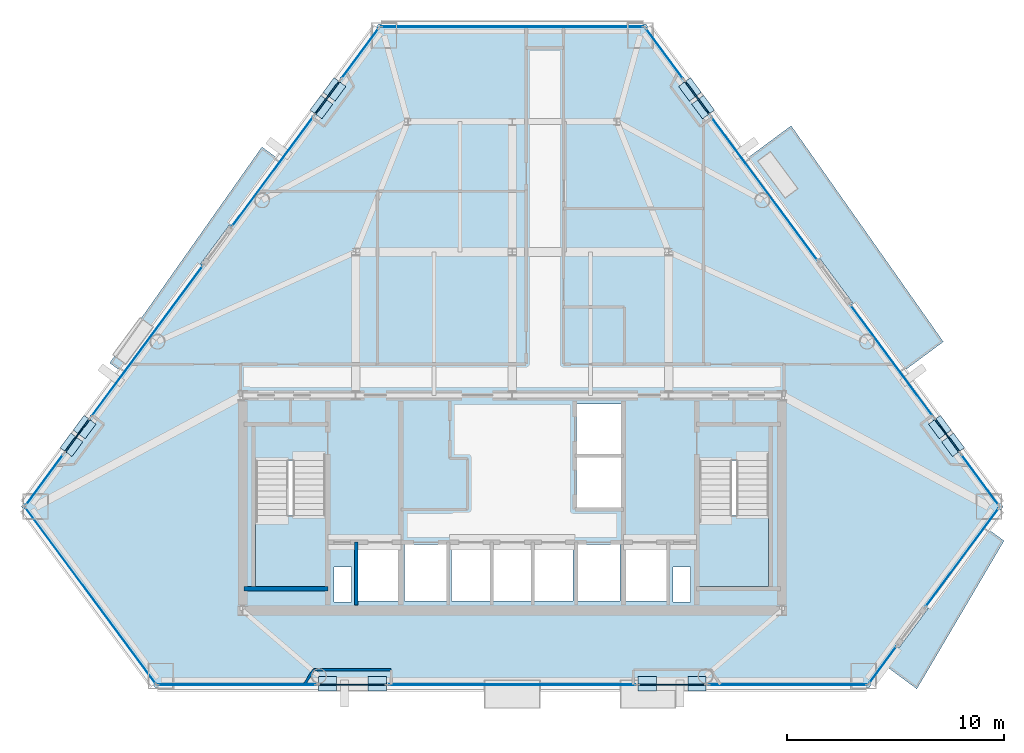
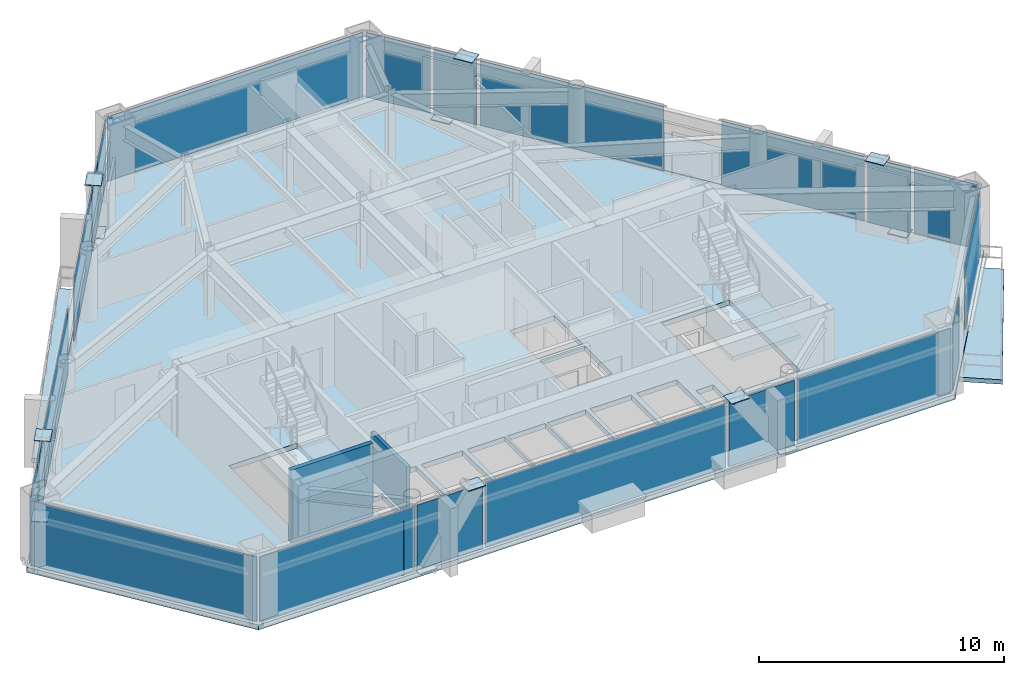
# One storey, part 6 of 11: 33 plates, 6 slabs, 4 walls, 23 elements without a shape of their own.
"""IFC4 building model written with IfcOpenShell, lengths in metres."""

from ifc_helpers import new_model, si_unit, direction, frame, frame_2d, origin, origin_2d, place, context, subcontext, project, spatial, polyline, rectangle, outline, extrude, source, transform, mapped, material, layer, layer_set, type_object, type_shapes, element, aggregate, save


model = new_model("IFC4")

# Units and contexts
model_context = context("Model", 3, precision=1e-05, world=origin(), true_north=direction((0.0, 1.0)))
body_context = subcontext(model_context, "Body", "Model", "MODEL_VIEW")
ifc_project = project(units=[si_unit("LENGTHUNIT", "METRE"), si_unit("AREAUNIT", "SQUARE_METRE"), si_unit("VOLUMEUNIT", "CUBIC_METRE"), si_unit("PLANEANGLEUNIT", "RADIAN"), si_unit("MASSUNIT", "GRAM", prefix="KILO")], contexts=[model_context])

# Site, building, storey
site_placement = place(None, origin())
site = spatial("IfcSite", under=ifc_project, at=site_placement, CompositionType="ELEMENT")
building_placement = place(site_placement, origin())
building = spatial("IfcBuilding", under=site, at=building_placement, Name="Talgorran Terracotta Tower", CompositionType="ELEMENT")
storey_placement = place(building_placement, frame((0.0, 0.0, 103.199951171875)))
storey = spatial("IfcBuildingStorey", under=building, at=storey_placement, Name="L26", CompositionType="ELEMENT", Elevation=103.199951171875)

# Plates
ifc_material_1 = material(Name="Steel Grade 350 (350L0)", Category="steel")
ifc_layer_1 = layer(ifc_material_1, 0.035888671875, Name="PL_CAP_MN06")
ifc_layer_set_1 = layer_set([ifc_layer_1], Name="Steel Grade 350 (350L0)")
plate_type_1 = type_object("IfcPlateType", Name="PL_CAP_MN06", PredefinedType="USERDEFINED", material=ifc_layer_set_1)
for number, where, z_axis, x_axis, name in (
    (1, (-8.501220703125, -17.4677734375, -0.0078125), (0.0, 0.0, 1.0), (1.0, 0.0, 0.0), "L26 Diagonal Frame End Cap SWF Bot"),
    (2, (-6.21240234375, -17.4677734375, 3.322265625), (0.0, 0.0, 1.0), (1.0, 0.0, 0.0), "L26 Diagonal Frame End Cap SWF Top"),
    (3, (8.501220703125, -17.4677734375, -0.0078125), (0.0, 0.0, 1.0), (-1.0, 0.0, 0.0), "L26 Diagonal Frame End Cap SEF Bot"),
    (4, (6.21240234375, -17.4677734375, 3.322265625), (0.0, 0.0, 1.0), (-1.0, 0.0, 0.0), "L26 Diagonal Frame End Cap SEF Top"),
    (5, (20.278076171875, -6.47265625, -0.0078125), (0.0, 0.0, 1.0), (-0.59496307718, 0.803753032213, 0.0), "L26 Diagonal Frame End Cap NEL Bot"),
    (6, (19.674560546875, -5.6572265625, 3.322265625), (0.0, 0.0, 1.0), (-0.59496307718, 0.803753032213, 0.0), "L26 Diagonal Frame End Cap NEL Top"),
    (7, (8.175537109375, 9.87939453125, -0.0078125), (0.0, 0.0, 1.0), (0.59496307718, -0.803753032213, 0.0), "L26 Diagonal Frame End Cap NEU Bot"),
    (8, (8.779052734375, 9.06396484375, 3.322265625), (0.0, 0.0, 1.0), (0.59496307718, -0.803753032213, 0.0), "L26 Diagonal Frame End Cap NEU Top"),
    (9, (-8.175537109375, 9.87939453125, -0.0078125), (0.0, 0.0, 1.0), (-0.59496307718, -0.803753032213, 0.0), "L26 Diagonal Frame End Cap NWU Bot"),
    (10, (-8.779052734375, 9.06396484375, 3.322265625), (0.0, 0.0, 1.0), (-0.59496307718, -0.803753032213, 0.0), "L26 Diagonal Frame End Cap NWU Top"),
    (11, (-20.278076171875, -6.47265625, -0.0078125), (0.0, 0.0, 1.0), (0.59496307718, 0.803753032213, 0.0), "L26 Diagonal Frame End Cap NWL Bot"),
    (12, (-19.674560546875, -5.6572265625, 3.322265625), (0.0, 0.0, 1.0), (0.59496307718, 0.803753032213, 0.0), "L26 Diagonal Frame End Cap NWL Top"),
):
    element("IfcPlate", number, at=place(storey_placement, frame(where, z_axis=z_axis, x_axis=x_axis)), inside=storey, type_object=plate_type_1, Name=name, ObjectType="CAP PLATE", PredefinedType="USERDEFINED", context=body_context, shape_type="SweptSolid", body=[
        extrude(rectangle(XDim=0.840087890625, YDim=0.679931640625, at=origin_2d()), origin(), (0.0, 0.0, 1.0), 0.035888671875),
    ])

# Slabs
ifc_material_2 = material(Name="Concrete C40/50", Category="concrete")
ifc_layer_2 = layer(ifc_material_2, 0.219970703125, Name="SL_BALCONY_220")
ifc_layer_set_2 = layer_set([ifc_layer_2], Name="Concrete C40/50")
slab_type_1 = type_object("IfcSlabType", Name="SL_BALCONY_220", PredefinedType="FLOOR", material=ifc_layer_set_2)
slab_1_placement = place(storey_placement, frame((0.0, 0.0, -0.219970703125)))
element("IfcSlab", 13, at=slab_1_placement, inside=storey, type_object=slab_type_1, Name="L26 Outdoor Wave Balcony BAL-NE", PredefinedType="FLOOR", context=body_context, shape_type="SweptSolid", body=[
    extrude(outline(polyline([(10.764404296875, 6.67578125), (17.9931640625, -3.09130859375), (19.83154296875, -1.730712890625), (12.830078125, 8.204833984375), (10.764404296875, 6.67578125)])), origin(), (0.0, 0.0, 1.0), 0.219970703125),
])
slab_2_placement = place(storey_placement, frame((0.0, 0.0, -0.219970703125)))
element("IfcSlab", 14, at=slab_2_placement, inside=storey, type_object=slab_type_1, Name="L26 Outdoor Wave Balcony BAL-NW", PredefinedType="FLOOR", context=body_context, shape_type="SweptSolid", body=[
    extrude(outline(polyline([(-17.9931640625, -3.09130859375), (-10.764404296875, 6.67578125), (-11.513916015625, 7.230712890625), (-18.515380859375, -2.70458984375), (-17.9931640625, -3.09130859375)])), origin(), (0.0, 0.0, 1.0), 0.219970703125),
])
slab_3_placement = place(storey_placement, frame((0.0, 0.0, -0.219970703125)))
element("IfcSlab", 15, at=slab_3_placement, inside=storey, type_object=slab_type_1, Name="L26 Outdoor Wave Balcony BAL-SE", PredefinedType="FLOOR", context=body_context, shape_type="SweptSolid", body=[
    extrude(outline(polyline([(21.85498046875, -10.322021484375), (17.179443359375, -16.639404296875), (18.61279296875, -17.699951171875), (22.623779296875, -10.89111328125), (21.85498046875, -10.322021484375)])), origin(), (0.0, 0.0, 1.0), 0.219970703125),
])

# Stair, slab
stair_type = type_object("IfcStairType", Name="ST_FIRE_SCISSOR", PredefinedType="HALF_TURN_STAIR", material=ifc_material_2)
stair_1_placement = place(storey_placement, origin())
stair_1 = element("IfcStair", 16, at=stair_1_placement, inside=storey, type_object=stair_type, Name="L26 West Protected Fire Stair ST-01", PredefinedType="HALF_TURN_STAIR")
ifc_layer_3 = layer(ifc_material_2, 0.199951171875, Name="SL_LANDING_200")
ifc_layer_set_3 = layer_set([ifc_layer_3], Name="Concrete C40/50")
slab_type_2 = type_object("IfcSlabType", Name="SL_LANDING_200", PredefinedType="LANDING", material=ifc_layer_set_3)
slab_4_placement = place(storey_placement, frame((0.0, 0.0, 1.60009765625)))
slab_4 = element("IfcSlab", 17, at=slab_4_placement, type_object=slab_type_2, Name="ST-01 landing 1", PredefinedType="LANDING", context=body_context, shape_type="SweptSolid", body=[
    extrude(outline(polyline([(-11.800048828125, -9.719970703125), (-11.800048828125, -13.0), (-8.60009765625, -13.0), (-8.60009765625, -9.719970703125), (-11.800048828125, -9.719970703125)])), origin(), (0.0, 0.0, 1.0), 0.199951171875),
])
aggregate(stair_1, [slab_4])

stair_2_placement = place(storey_placement, origin())
stair_2 = element("IfcStair", 18, at=stair_2_placement, inside=storey, type_object=stair_type, Name="L26 East Protected Fire Stair ST-02", PredefinedType="HALF_TURN_STAIR")
slab_5_placement = place(storey_placement, frame((0.0, 0.0, 1.60009765625)))
slab_5 = element("IfcSlab", 19, at=slab_5_placement, type_object=slab_type_2, Name="ST-02 landing 1", PredefinedType="LANDING", context=body_context, shape_type="SweptSolid", body=[
    extrude(outline(polyline([(8.60009765625, -9.719970703125), (8.60009765625, -13.0), (11.800048828125, -13.0), (11.800048828125, -9.719970703125), (8.60009765625, -9.719970703125)])), origin(), (0.0, 0.0, 1.0), 0.199951171875),
])
aggregate(stair_2, [slab_5])

# Slab
ifc_layer_4 = layer(ifc_material_2, 0.25, Name="SL_TOWER_250")
ifc_layer_set_4 = layer_set([ifc_layer_4], Name="Concrete C40/50")
slab_type_3 = type_object("IfcSlabType", Name="SL_TOWER_250", PredefinedType="FLOOR", material=ifc_layer_set_4)
slab_6_placement = place(storey_placement, frame((0.0, 0.0, -0.25)))
element("IfcSlab", 20, at=slab_6_placement, inside=storey, type_object=slab_type_3, Name="Storey L26 Structural Floor Slab", PredefinedType="FLOOR", context=body_context, shape_type="SweptSolid", body=[
    extrude(outline(polyline([(-22.581298828125, -9.315673828125), (-16.42919921875, -17.627685546875), (16.42919921875, -17.627685546875), (22.581298828125, -9.315673828125), (6.152099609375, 12.882080078125), (-6.152099609375, 12.882080078125), (-22.581298828125, -9.315673828125)]), holes=[polyline([(-11.800048828125, -7.199951171875), (-11.800048828125, -13.0), (-8.60009765625, -13.0), (-8.60009765625, -7.199951171875), (-11.800048828125, -7.199951171875)]), polyline([(8.60009765625, -7.199951171875), (8.60009765625, -13.0), (11.800048828125, -13.0), (11.800048828125, -7.199951171875), (8.60009765625, -7.199951171875)]), polyline([(-7.10009765625, -13.64990234375), (-5.199951171875, -13.64990234375), (-5.199951171875, -11.050048828125), (-7.10009765625, -11.050048828125), (-7.10009765625, -13.64990234375)]), polyline([(5.199951171875, -13.64990234375), (7.10009765625, -13.64990234375), (7.10009765625, -11.050048828125), (5.199951171875, -11.050048828125), (5.199951171875, -13.64990234375)]), polyline([(3.0, -13.64990234375), (4.949951171875, -13.64990234375), (4.949951171875, -11.050048828125), (3.0, -11.050048828125), (3.0, -13.64990234375)]), polyline([(-4.949951171875, -13.64990234375), (-3.0, -13.64990234375), (-3.0, -11.050048828125), (-4.949951171875, -11.050048828125), (-4.949951171875, -13.64990234375)]), polyline([(2.949951171875, -9.35009765625), (5.050048828125, -9.35009765625), (5.050048828125, -7.050048828125), (2.949951171875, -7.050048828125), (2.949951171875, -9.35009765625)]), polyline([(2.949951171875, -6.89990234375), (5.050048828125, -6.89990234375), (5.050048828125, -4.60009765625), (2.949951171875, -4.60009765625), (2.949951171875, -6.89990234375)]), polyline([(-2.800048828125, -13.64990234375), (-1.0, -13.64990234375), (-1.0, -11.050048828125), (-2.800048828125, -11.050048828125), (-2.800048828125, -13.64990234375)]), polyline([(-0.89990234375, -13.64990234375), (0.89990234375, -13.64990234375), (0.89990234375, -11.050048828125), (-0.89990234375, -11.050048828125), (-0.89990234375, -13.64990234375)]), polyline([(1.0, -13.64990234375), (2.800048828125, -13.64990234375), (2.800048828125, -11.050048828125), (1.0, -11.050048828125), (1.0, -13.64990234375)]), polyline([(-8.199951171875, -13.699951171875), (-7.39990234375, -13.699951171875), (-7.39990234375, -12.10009765625), (-8.199951171875, -12.10009765625), (-8.199951171875, -13.699951171875)]), polyline([(7.39990234375, -13.699951171875), (8.199951171875, -13.699951171875), (8.199951171875, -12.10009765625), (7.39990234375, -12.10009765625), (7.39990234375, -13.699951171875)])]), origin(), (0.0, 0.0, 1.0), 0.25),
])

# Curtain wall, plate
ifc_material_3 = material(Name="Unitised Low-E Double Glazing", Category="glass")
ifc_layer_5 = layer(ifc_material_3, 0.199951171875, Name="CW_SYS2_RES_LOW")
ifc_layer_set_5 = layer_set([ifc_layer_5], Name="Unitised Low-E Double Glazing")
curtain_wall_type = type_object("IfcCurtainWallType", Name="CW_SYS2_RES_LOW", PredefinedType="NOTDEFINED", material=ifc_layer_set_5)
curtain_wall_1_placement = place(storey_placement, origin())
curtain_wall_1 = element("IfcCurtainWall", 21, at=curtain_wall_1_placement, inside=storey, type_object=curtain_wall_type, Name="CW-L26-F1B", PredefinedType="NOTDEFINED")
ifc_material_4 = material(Name="Terracotta Insulated Spandrel", Category="masonry")
ifc_layer_6 = layer(ifc_material_4, 0.06494140625, Name="PLT_SPANDREL_TERRA")
ifc_layer_set_6 = layer_set([ifc_layer_6], Name="Terracotta Insulated Spandrel")
plate_type_2 = type_object("IfcPlateType", Name="PLT_SPANDREL_TERRA", PredefinedType="SHEET", material=ifc_layer_set_6)
shared_shape_1 = source(origin(), body_context, "Body", "SweptSolid", [
    extrude(rectangle(XDim=3.095703125, YDim=0.06494140625, at=origin_2d()), origin(), (0.0, 0.0, 1.0), 3.219970703125),
])
plate_1_placement = place(storey_placement, frame((-7.356689453125, -17.5078125, 0.06494140625), z_axis=(0.0, 0.0, 1.0), x_axis=(1.0, 0.0, 0.0)))
plate_1 = element("IfcPlate", 22, at=plate_1_placement, type_object=plate_type_2, Name="CW-L26-1B panel 1.1", PredefinedType="CURTAIN_PANEL", context=body_context, shape_type="MappedRepresentation", body=[
    mapped(shared_shape_1, transform((0.0, 0.0, 0.0), scale=1.0)),
])
aggregate(curtain_wall_1, [plate_1])

curtain_wall_2_placement = place(storey_placement, origin())
curtain_wall_2 = element("IfcCurtainWall", 23, at=curtain_wall_2_placement, inside=storey, type_object=curtain_wall_type, Name="CW-L26-F1D", PredefinedType="NOTDEFINED")
plate_2_placement = place(storey_placement, frame((7.356689453125, -17.5078125, 0.06494140625), z_axis=(0.0, 0.0, 1.0), x_axis=(1.0, 0.0, 0.0)))
plate_2 = element("IfcPlate", 24, at=plate_2_placement, type_object=plate_type_2, Name="CW-L26-1D panel 1.1", PredefinedType="CURTAIN_PANEL", context=body_context, shape_type="MappedRepresentation", body=[
    mapped(shared_shape_1, transform((0.0, 0.0, 0.0), scale=1.0)),
])
aggregate(curtain_wall_2, [plate_2])

curtain_wall_3_placement = place(storey_placement, origin())
curtain_wall_3 = element("IfcCurtainWall", 25, at=curtain_wall_3_placement, inside=storey, type_object=curtain_wall_type, Name="CW-L26-F0", PredefinedType="NOTDEFINED")
ifc_material_5 = material(Name="Low-E Laminated Vision Glass", Category="glass")
ifc_layer_7 = layer(ifc_material_5, 0.028076171875, Name="PLT_VISION_28")
ifc_layer_set_7 = layer_set([ifc_layer_7], Name="Low-E Laminated Vision Glass")
plate_type_3 = type_object("IfcPlateType", Name="PLT_VISION_28", PredefinedType="CURTAIN_PANEL", material=ifc_layer_set_7)
shared_shape_2 = source(origin(), body_context, "Body", "SweptSolid", [
    extrude(rectangle(XDim=10.06201171875, YDim=0.028076171875, at=origin_2d()), origin(), (0.0, 0.0, 1.0), 3.219970703125),
])
plate_3_placement = place(storey_placement, frame((-19.400146484375, -13.41162109375, 0.06494140625), z_axis=(0.0, 0.0, 1.0), x_axis=(0.594910967294, -0.803791602963, 0.0)))
plate_3 = element("IfcPlate", 26, at=plate_3_placement, type_object=plate_type_3, Name="CW-L26-0 panel 1.1", PredefinedType="CURTAIN_PANEL", context=body_context, shape_type="MappedRepresentation", body=[
    mapped(shared_shape_2, transform((0.0, 0.0, 0.0), scale=1.0)),
])
aggregate(curtain_wall_3, [plate_3])

curtain_wall_4_placement = place(storey_placement, origin())
curtain_wall_4 = element("IfcCurtainWall", 27, at=curtain_wall_4_placement, inside=storey, type_object=curtain_wall_type, Name="CW-L26-F4", PredefinedType="NOTDEFINED")
shared_shape_3 = source(origin(), body_context, "Body", "SweptSolid", [
    extrude(rectangle(XDim=12.05322265625, YDim=0.028076171875, at=origin_2d()), origin(), (0.0, 0.0, 1.0), 3.219970703125),
])
plate_4_placement = place(storey_placement, frame((0.0, 12.76220703125, 0.06494140625), z_axis=(0.0, 0.0, 1.0), x_axis=(-1.0, 0.0, 0.0)))
plate_4 = element("IfcPlate", 28, at=plate_4_placement, type_object=plate_type_3, Name="CW-L26-4 panel 1.1", PredefinedType="CURTAIN_PANEL", context=body_context, shape_type="MappedRepresentation", body=[
    mapped(shared_shape_3, transform((0.0, 0.0, 0.0), scale=1.0)),
])
aggregate(curtain_wall_4, [plate_4])

curtain_wall_5_placement = place(storey_placement, origin())
curtain_wall_5 = element("IfcCurtainWall", 29, at=curtain_wall_5_placement, inside=storey, type_object=curtain_wall_type, Name="CW-L26-F1", PredefinedType="NOTDEFINED")
shared_shape_4 = source(origin(), body_context, "Body", "SweptSolid", [
    extrude(rectangle(XDim=7.2587890625, YDim=0.028076171875, at=origin_2d()), origin(), (0.0, 0.0, 1.0), 3.219970703125),
])
plate_5_placement = place(storey_placement, frame((-12.674072265625, -17.5078125, 0.06494140625), z_axis=(0.0, 0.0, 1.0), x_axis=(1.0, 0.0, 0.0)))
plate_5 = element("IfcPlate", 30, at=plate_5_placement, type_object=plate_type_3, Name="CW-L26-1 panel 1.1", PredefinedType="CURTAIN_PANEL", context=body_context, shape_type="MappedRepresentation", body=[
    mapped(shared_shape_4, transform((0.0, 0.0, 0.0), scale=1.0)),
])
aggregate(curtain_wall_5, [plate_5])

curtain_wall_6_placement = place(storey_placement, origin())
curtain_wall_6 = element("IfcCurtainWall", 31, at=curtain_wall_6_placement, inside=storey, type_object=curtain_wall_type, Name="CW-L26-F1E", PredefinedType="NOTDEFINED")
plate_6_placement = place(storey_placement, frame((12.674072265625, -17.5078125, 0.06494140625), z_axis=(0.0, 0.0, 1.0), x_axis=(1.0, 0.0, 0.0)))
plate_6 = element("IfcPlate", 32, at=plate_6_placement, type_object=plate_type_3, Name="CW-L26-1E panel 1.1", PredefinedType="CURTAIN_PANEL", context=body_context, shape_type="MappedRepresentation", body=[
    mapped(shared_shape_4, transform((0.0, 0.0, 0.0), scale=1.0)),
])
aggregate(curtain_wall_6, [plate_6])

curtain_wall_7_placement = place(storey_placement, origin())
curtain_wall_7 = element("IfcCurtainWall", 33, at=curtain_wall_7_placement, inside=storey, type_object=curtain_wall_type, Name="CW-L26-F1C", PredefinedType="NOTDEFINED")
shared_shape_5 = source(origin(), body_context, "Body", "SweptSolid", [
    extrude(rectangle(XDim=11.337890625, YDim=0.028076171875, at=origin_2d()), origin(), (0.0, 0.0, 1.0), 3.219970703125),
])
plate_7_placement = place(storey_placement, frame((0.0, -17.5078125, 0.06494140625), z_axis=(0.0, 0.0, 1.0), x_axis=(1.0, 0.0, 0.0)))
plate_7 = element("IfcPlate", 34, at=plate_7_placement, type_object=plate_type_3, Name="CW-L26-1C panel 1.1", PredefinedType="CURTAIN_PANEL", context=body_context, shape_type="MappedRepresentation", body=[
    mapped(shared_shape_5, transform((0.0, 0.0, 0.0), scale=1.0)),
])
aggregate(curtain_wall_7, [plate_7])

curtain_wall_8_placement = place(storey_placement, origin())
curtain_wall_8 = element("IfcCurtainWall", 35, at=curtain_wall_8_placement, inside=storey, type_object=curtain_wall_type, Name="CW-L26-F30", PredefinedType="NOTDEFINED")
shared_shape_6 = source(origin(), body_context, "Body", "SweptSolid", [
    extrude(rectangle(XDim=2.079833984375, YDim=0.028076171875, at=origin_2d()), origin(), (0.0, 0.0, 1.0), 3.219970703125),
])
plate_8_placement = place(storey_placement, frame((17.0498046875, -16.58740234375, 0.06494140625), z_axis=(0.0, 0.0, 1.0), x_axis=(0.594912592839, 0.803790399844, 0.0)))
plate_8 = element("IfcPlate", 36, at=plate_8_placement, type_object=plate_type_3, Name="CW-L26-30 panel 1.1", PredefinedType="CURTAIN_PANEL", context=body_context, shape_type="MappedRepresentation", body=[
    mapped(shared_shape_6, transform((0.0, 0.0, 0.0), scale=1.0)),
])
aggregate(curtain_wall_8, [plate_8])

curtain_wall_9_placement = place(storey_placement, origin())
curtain_wall_9 = element("IfcCurtainWall", 37, at=curtain_wall_9_placement, inside=storey, type_object=curtain_wall_type, Name="CW-L26-F31", PredefinedType="NOTDEFINED")
shared_shape_7 = source(origin(), body_context, "Body", "SweptSolid", [
    extrude(rectangle(XDim=5.612060546875, YDim=0.028076171875, at=origin_2d()), origin(), (0.0, 0.0, 1.0), 3.219970703125),
])
plate_9_placement = place(storey_placement, frame((20.7001953125, -11.655517578125, 0.06494140625), z_axis=(0.0, 0.0, 1.0), x_axis=(0.594910972512, 0.8037915991, 0.0)))
plate_9 = element("IfcPlate", 38, at=plate_9_placement, type_object=plate_type_3, Name="CW-L26-31 panel 1.1", PredefinedType="CURTAIN_PANEL", context=body_context, shape_type="MappedRepresentation", body=[
    mapped(shared_shape_7, transform((0.0, 0.0, 0.0), scale=1.0)),
])
aggregate(curtain_wall_9, [plate_9])

curtain_wall_10_placement = place(storey_placement, origin())
curtain_wall_10 = element("IfcCurtainWall", 39, at=curtain_wall_10_placement, inside=storey, type_object=curtain_wall_type, Name="CW-L26-F40", PredefinedType="NOTDEFINED")
shared_shape_8 = source(origin(), body_context, "Body", "SweptSolid", [
    extrude(rectangle(XDim=2.86767578125, YDim=0.028076171875, at=origin_2d()), origin(), (0.0, 0.0, 1.0), 3.219970703125),
])
plate_10_placement = place(storey_placement, frame((21.516357421875, -8.07861328125, 0.06494140625), z_axis=(0.0, 0.0, 1.0), x_axis=(-0.594922756915, 0.803782876966, 0.0)))
plate_10 = element("IfcPlate", 40, at=plate_10_placement, type_object=plate_type_3, Name="CW-L26-40 panel 1.1", PredefinedType="CURTAIN_PANEL", context=body_context, shape_type="MappedRepresentation", body=[
    mapped(shared_shape_8, transform((0.0, 0.0, 0.0), scale=1.0)),
])
aggregate(curtain_wall_10, [plate_10])

curtain_wall_11_placement = place(storey_placement, origin())
curtain_wall_11 = element("IfcCurtainWall", 41, at=curtain_wall_11_placement, inside=storey, type_object=curtain_wall_type, Name="CW-L26-F61C", PredefinedType="NOTDEFINED")
plate_11_placement = place(storey_placement, frame((-21.516357421875, -8.07861328125, 0.06494140625), z_axis=(0.0, 0.0, 1.0), x_axis=(-0.594922756915, -0.803782876966, 0.0)))
plate_11 = element("IfcPlate", 42, at=plate_11_placement, type_object=plate_type_3, Name="CW-L26-61C panel 1.1", PredefinedType="CURTAIN_PANEL", context=body_context, shape_type="MappedRepresentation", body=[
    mapped(shared_shape_8, transform((0.0, 0.0, 0.0), scale=1.0)),
])
aggregate(curtain_wall_11, [plate_11])

curtain_wall_12_placement = place(storey_placement, origin())
curtain_wall_12 = element("IfcCurtainWall", 43, at=curtain_wall_12_placement, inside=storey, type_object=curtain_wall_type, Name="CW-L26-F40B", PredefinedType="NOTDEFINED")
shared_shape_9 = source(origin(), body_context, "Body", "SweptSolid", [
    extrude(rectangle(XDim=1.921875, YDim=0.06494140625, at=origin_2d()), origin(), (0.0, 0.0, 1.0), 3.219970703125),
])
type_shapes(plate_type_2, [shared_shape_1, shared_shape_9])
plate_12_placement = place(storey_placement, frame((20.008544921875, -6.041259765625, 0.06494140625), z_axis=(0.0, 0.0, 1.0), x_axis=(-0.594911653358, 0.803791095185, 0.0)))
plate_12 = element("IfcPlate", 44, at=plate_12_placement, type_object=plate_type_2, Name="CW-L26-40B panel 1.1", PredefinedType="CURTAIN_PANEL", context=body_context, shape_type="MappedRepresentation", body=[
    mapped(shared_shape_9, transform((0.0, 0.0, 0.0), scale=1.0)),
])
aggregate(curtain_wall_12, [plate_12])

curtain_wall_13_placement = place(storey_placement, origin())
curtain_wall_13 = element("IfcCurtainWall", 45, at=curtain_wall_13_placement, inside=storey, type_object=curtain_wall_type, Name="CW-L26-F41B", PredefinedType="NOTDEFINED")
plate_13_placement = place(storey_placement, frame((8.509521484375, 9.495361328125, 0.06494140625), z_axis=(0.0, 0.0, 1.0), x_axis=(-0.594911653358, 0.803791095185, 0.0)))
plate_13 = element("IfcPlate", 46, at=plate_13_placement, type_object=plate_type_2, Name="CW-L26-41B panel 1.1", PredefinedType="CURTAIN_PANEL", context=body_context, shape_type="MappedRepresentation", body=[
    mapped(shared_shape_9, transform((0.0, 0.0, 0.0), scale=1.0)),
])
aggregate(curtain_wall_13, [plate_13])

curtain_wall_14_placement = place(storey_placement, origin())
curtain_wall_14 = element("IfcCurtainWall", 47, at=curtain_wall_14_placement, inside=storey, type_object=curtain_wall_type, Name="CW-L26-F60B", PredefinedType="NOTDEFINED")
plate_14_placement = place(storey_placement, frame((-8.509521484375, 9.495361328125, 0.06494140625), z_axis=(0.0, 0.0, 1.0), x_axis=(-0.594911653358, -0.803791095185, 0.0)))
plate_14 = element("IfcPlate", 48, at=plate_14_placement, type_object=plate_type_2, Name="CW-L26-60B panel 1.1", PredefinedType="CURTAIN_PANEL", context=body_context, shape_type="MappedRepresentation", body=[
    mapped(shared_shape_9, transform((0.0, 0.0, 0.0), scale=1.0)),
])
aggregate(curtain_wall_14, [plate_14])

curtain_wall_15_placement = place(storey_placement, origin())
curtain_wall_15 = element("IfcCurtainWall", 49, at=curtain_wall_15_placement, inside=storey, type_object=curtain_wall_type, Name="CW-L26-F61B", PredefinedType="NOTDEFINED")
plate_15_placement = place(storey_placement, frame((-20.008544921875, -6.041259765625, 0.06494140625), z_axis=(0.0, 0.0, 1.0), x_axis=(-0.594911653358, -0.803791095185, 0.0)))
plate_15 = element("IfcPlate", 50, at=plate_15_placement, type_object=plate_type_2, Name="CW-L26-61B panel 1.1", PredefinedType="CURTAIN_PANEL", context=body_context, shape_type="MappedRepresentation", body=[
    mapped(shared_shape_9, transform((0.0, 0.0, 0.0), scale=1.0)),
])
aggregate(curtain_wall_15, [plate_15])

curtain_wall_16_placement = place(storey_placement, origin())
curtain_wall_16 = element("IfcCurtainWall", 51, at=curtain_wall_16_placement, inside=storey, type_object=curtain_wall_type, Name="CW-L26-F40C", PredefinedType="NOTDEFINED")
shared_shape_10 = source(origin(), body_context, "Body", "SweptSolid", [
    extrude(rectangle(XDim=6.3525390625, YDim=0.028076171875, at=origin_2d()), origin(), (0.0, 0.0, 1.0), 3.219970703125),
])
plate_16_placement = place(storey_placement, frame((17.4638671875, -2.603271484375, 0.06494140625), z_axis=(0.0, 0.0, 1.0), x_axis=(-0.594908392022, 0.803793508995, 0.0)))
plate_16 = element("IfcPlate", 52, at=plate_16_placement, type_object=plate_type_3, Name="CW-L26-40C panel 1.1", PredefinedType="CURTAIN_PANEL", context=body_context, shape_type="MappedRepresentation", body=[
    mapped(shared_shape_10, transform((0.0, 0.0, 0.0), scale=1.0)),
])
aggregate(curtain_wall_16, [plate_16])

curtain_wall_17_placement = place(storey_placement, origin())
curtain_wall_17 = element("IfcCurtainWall", 53, at=curtain_wall_17_placement, inside=storey, type_object=curtain_wall_type, Name="CW-L26-F41", PredefinedType="NOTDEFINED")
shared_shape_11 = source(origin(), body_context, "Body", "SweptSolid", [
    extrude(rectangle(XDim=8.184814453125, YDim=0.028076171875, at=origin_2d()), origin(), (0.0, 0.0, 1.0), 3.219970703125),
])
plate_17_placement = place(storey_placement, frame((11.598876953125, 5.321044921875, 0.06494140625), z_axis=(0.0, 0.0, 1.0), x_axis=(-0.594909681216, 0.803792554827, 0.0)))
plate_17 = element("IfcPlate", 54, at=plate_17_placement, type_object=plate_type_3, Name="CW-L26-41 panel 1.1", PredefinedType="CURTAIN_PANEL", context=body_context, shape_type="MappedRepresentation", body=[
    mapped(shared_shape_11, transform((0.0, 0.0, 0.0), scale=1.0)),
])
aggregate(curtain_wall_17, [plate_17])

curtain_wall_18_placement = place(storey_placement, origin())
curtain_wall_18 = element("IfcCurtainWall", 55, at=curtain_wall_18_placement, inside=storey, type_object=curtain_wall_type, Name="CW-L26-F41C", PredefinedType="NOTDEFINED")
shared_shape_12 = source(origin(), body_context, "Body", "SweptSolid", [
    extrude(rectangle(XDim=2.8583984375, YDim=0.028076171875, at=origin_2d()), origin(), (0.0, 0.0, 1.0), 3.219970703125),
])
plate_18_placement = place(storey_placement, frame((7.00439453125, 11.529052734375, 0.06494140625), z_axis=(0.0, 0.0, 1.0), x_axis=(-0.594912196062, 0.803790693512, 0.0)))
plate_18 = element("IfcPlate", 56, at=plate_18_placement, type_object=plate_type_3, Name="CW-L26-41C panel 1.1", PredefinedType="CURTAIN_PANEL", context=body_context, shape_type="MappedRepresentation", body=[
    mapped(shared_shape_12, transform((0.0, 0.0, 0.0), scale=1.0)),
])
aggregate(curtain_wall_18, [plate_18])

curtain_wall_19_placement = place(storey_placement, origin())
curtain_wall_19 = element("IfcCurtainWall", 57, at=curtain_wall_19_placement, inside=storey, type_object=curtain_wall_type, Name="CW-L26-F60", PredefinedType="NOTDEFINED")
plate_19_placement = place(storey_placement, frame((-7.004150390625, 11.529052734375, 0.06494140625), z_axis=(0.0, 0.0, 1.0), x_axis=(-0.594890575399, -0.803806695233, 0.0)))
plate_19 = element("IfcPlate", 58, at=plate_19_placement, type_object=plate_type_3, Name="CW-L26-60 panel 1.1", PredefinedType="CURTAIN_PANEL", context=body_context, shape_type="MappedRepresentation", body=[
    mapped(shared_shape_12, transform((0.0, 0.0, 0.0), scale=1.0)),
])
aggregate(curtain_wall_19, [plate_19])

curtain_wall_20_placement = place(storey_placement, origin())
curtain_wall_20 = element("IfcCurtainWall", 59, at=curtain_wall_20_placement, inside=storey, type_object=curtain_wall_type, Name="CW-L26-F60C", PredefinedType="NOTDEFINED")
shared_shape_13 = source(origin(), body_context, "Body", "SweptSolid", [
    extrude(rectangle(XDim=6.248291015625, YDim=0.028076171875, at=origin_2d()), origin(), (0.0, 0.0, 1.0), 3.219970703125),
])
plate_20_placement = place(storey_placement, frame((-11.02294921875, 6.099365234375, 0.06494140625), z_axis=(0.0, 0.0, 1.0), x_axis=(-0.594903179214, -0.803797367103, 0.0)))
plate_20 = element("IfcPlate", 60, at=plate_20_placement, type_object=plate_type_3, Name="CW-L26-60C panel 1.1", PredefinedType="CURTAIN_PANEL", context=body_context, shape_type="MappedRepresentation", body=[
    mapped(shared_shape_13, transform((0.0, 0.0, 0.0), scale=1.0)),
])
aggregate(curtain_wall_20, [plate_20])

curtain_wall_21_placement = place(storey_placement, origin())
curtain_wall_21 = element("IfcCurtainWall", 61, at=curtain_wall_21_placement, inside=storey, type_object=curtain_wall_type, Name="CW-L26-F61", PredefinedType="NOTDEFINED")
shared_shape_14 = source(origin(), body_context, "Body", "SweptSolid", [
    extrude(rectangle(XDim=8.5888671875, YDim=0.028076171875, at=origin_2d()), origin(), (0.0, 0.0, 1.0), 3.219970703125),
])
type_shapes(plate_type_3, [shared_shape_2, shared_shape_3, shared_shape_4, shared_shape_5, shared_shape_6, shared_shape_7, shared_shape_8, shared_shape_10, shared_shape_11, shared_shape_12, shared_shape_13, shared_shape_14])
plate_21_placement = place(storey_placement, frame((-16.798583984375, -1.704345703125, 0.06494140625), z_axis=(0.0, 0.0, 1.0), x_axis=(-0.594910148221, -0.803792209183, 0.0)))
plate_21 = element("IfcPlate", 62, at=plate_21_placement, type_object=plate_type_3, Name="CW-L26-61 panel 1.1", PredefinedType="CURTAIN_PANEL", context=body_context, shape_type="MappedRepresentation", body=[
    mapped(shared_shape_14, transform((0.0, 0.0, 0.0), scale=1.0)),
])
aggregate(curtain_wall_21, [plate_21])

# Walls
ifc_material_6 = material(Name="Concrete C50/60", Category="concrete")
ifc_layer_8 = layer(ifc_material_6, 0.199951171875, Name="WT_CORE_200")
ifc_layer_set_8 = layer_set([ifc_layer_8], Name="Concrete C50/60")
wall_type_1 = type_object("IfcWallType", Name="WT_CORE_200", PredefinedType="SOLIDWALL", material=ifc_layer_set_8)
wall_1_placement = place(storey_placement, frame((-12.35009765625, -13.10009765625, 0.0), z_axis=(0.0, 0.0, 1.0), x_axis=(1.0, 0.0, 0.0)))
element("IfcWall", 63, at=wall_1_placement, inside=storey, type_object=wall_type_1, Name="WL-L26-CW-ST1-S", PredefinedType="SOLIDWALL", context=body_context, shape_type="SweptSolid", body=[
    extrude(rectangle(XDim=3.8701171875, YDim=0.199951171875, at=frame_2d((1.93505859375, 0.0))), origin(), (0.0, 0.0, 1.0), 3.60009765625),
])
ifc_material_7 = material(Name="Insulated Steel Stud Plasterboard", Category="steel")
ifc_layer_9 = layer(ifc_material_7, 0.1201171875, Name="WT_PART_120")
ifc_layer_set_9 = layer_set([ifc_layer_9], Name="Insulated Steel Stud Plasterboard")
wall_type_2 = type_object("IfcWallType", Name="WT_PART_120", PredefinedType="PARTITIONING", material=ifc_layer_set_9)
wall_2_placement = place(storey_placement, frame((-9.14111328125, -16.827880859375, 0.0), z_axis=(0.0, 0.0, 1.0), x_axis=(1.0, 0.0, 0.0)))
element("IfcWall", 64, at=wall_2_placement, inside=storey, type_object=wall_type_2, Name="WL-L26-BW-L26-01", PredefinedType="PARTITIONING", context=body_context, shape_type="SweptSolid", body=[
    extrude(rectangle(XDim=3.568603515625, YDim=0.1201171875, at=frame_2d((1.7841796875, 0.0))), origin(), (0.0, 0.0, 1.0), 2.71337890625),
])
wall_3_placement = place(storey_placement, frame((-9.56640625, -17.497802734375, 0.0), z_axis=(0.0, 0.0, 1.0), x_axis=(0.535959408162, 0.844243752007, 0.0)))
element("IfcWall", 65, at=wall_3_placement, inside=storey, type_object=wall_type_2, Name="WL-L26-BW-L26-03", PredefinedType="PARTITIONING", context=body_context, shape_type="SweptSolid", body=[
    extrude(rectangle(XDim=0.79345703125, YDim=0.1201171875, at=frame_2d((0.396728515625, 0.0))), origin(), (0.0, 0.0, 1.0), 2.71337890625),
])
ifc_material_8 = material(Name="Fire-Rated Shaftwall")
ifc_layer_10 = layer(ifc_material_8, 0.159912109375, Name="WT_PART_150")
ifc_layer_set_10 = layer_set([ifc_layer_10], Name="Fire-Rated Shaftwall")
wall_type_3 = type_object("IfcWallType", Name="WT_PART_150", PredefinedType="PARTITIONING", material=ifc_layer_set_10)
wall_4_placement = place(storey_placement, frame((-7.179931640625, -13.85009765625, 0.0), z_axis=(0.0, 0.0, 1.0), x_axis=(0.0, 1.0, 0.0)))
element("IfcWall", 66, at=wall_4_placement, inside=storey, type_object=wall_type_3, Name="WL-L26-CW-RSW", PredefinedType="PARTITIONING", context=body_context, shape_type="SweptSolid", body=[
    extrude(rectangle(XDim=2.900146484375, YDim=0.159912109375, at=frame_2d((1.4501953125, 0.0))), origin(), (0.0, 0.0, 1.0), 2.375),
])

save(model, "model.ifc")
